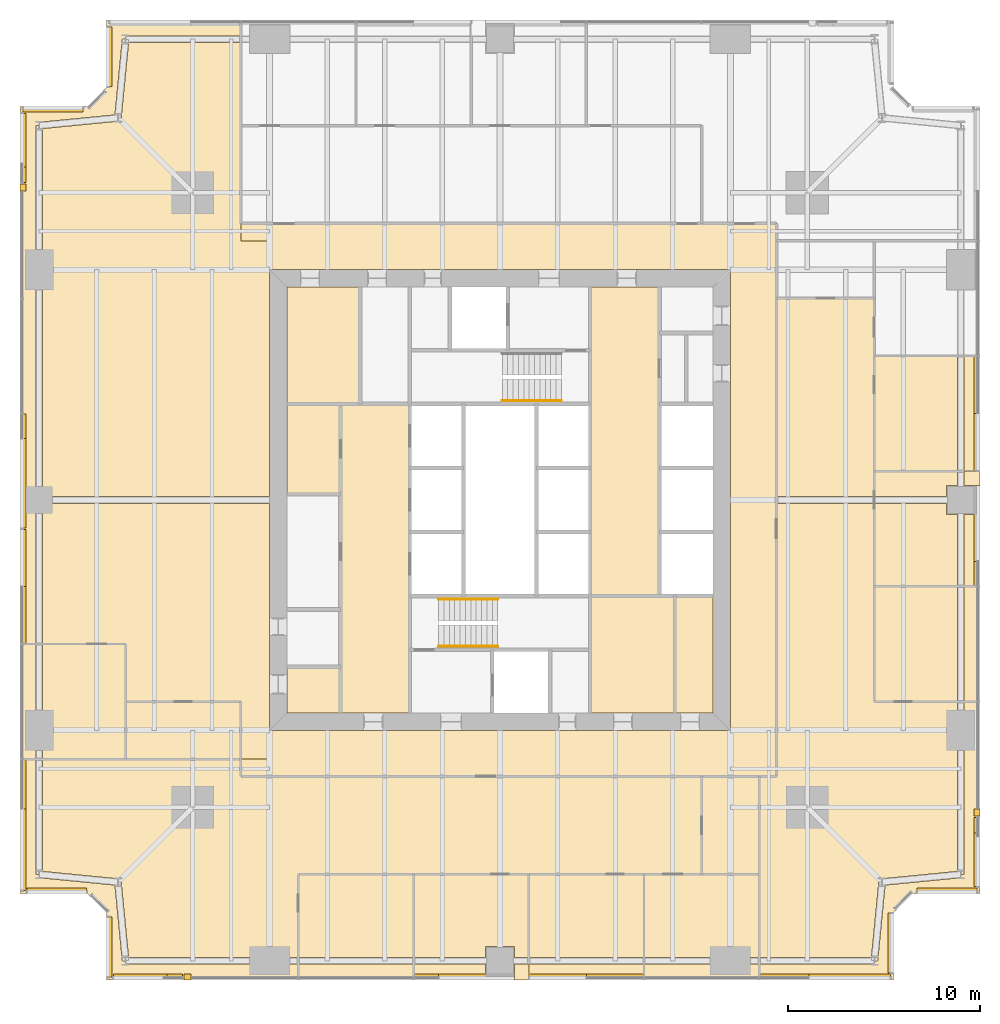
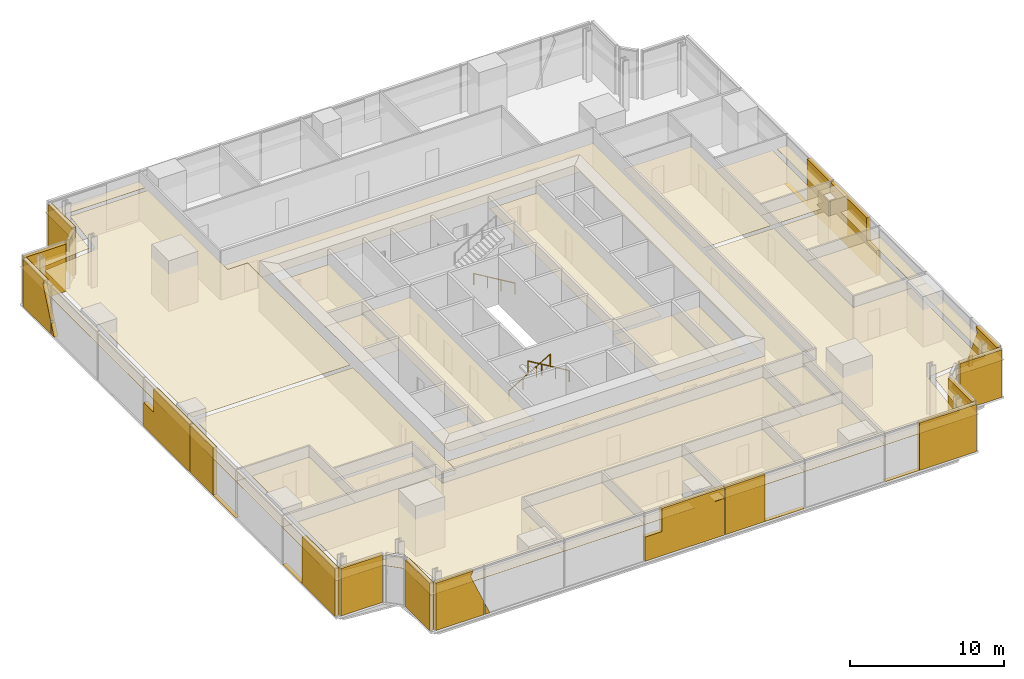
# One storey, part 12 of 13: 57 coverings, 3 railings.
"""IFC4 building model written with IfcOpenShell, lengths in metres."""

from ifc_helpers import new_model, si_unit, direction, frame, origin, origin_2d, place, context, subcontext, project, spatial, polyline, circle, outline, extrude, material, layer, layer_set, type_object, element, save


model = new_model("IFC4")

# Units and contexts
model_context = context("Model", 3, precision=1e-05, world=origin(), true_north=direction((0.0, 1.0)))
body_context = subcontext(model_context, "Body", "Model", "MODEL_VIEW")
ifc_project = project(units=[si_unit("LENGTHUNIT", "METRE"), si_unit("AREAUNIT", "SQUARE_METRE"), si_unit("VOLUMEUNIT", "CUBIC_METRE"), si_unit("PLANEANGLEUNIT", "RADIAN"), si_unit("MASSUNIT", "GRAM", prefix="KILO")], contexts=[model_context])

# Site, building, storey
site_placement = place(None, origin())
site = spatial("IfcSite", under=ifc_project, at=site_placement, CompositionType="ELEMENT")
building_placement = place(site_placement, origin())
building = spatial("IfcBuilding", under=site, at=building_placement, Name="Fenwick Lantern Interchange", CompositionType="ELEMENT")
storey_placement = place(building_placement, frame((0.0, 0.0, 110.39990234375)))
storey = spatial("IfcBuildingStorey", under=building, at=storey_placement, Name="L25", CompositionType="ELEMENT", Elevation=110.39990234375)

# Coverings
ifc_material_1 = material(Name="Mineral fibre acoustic tile on suspended grid")
ifc_layer_1 = layer(ifc_material_1, 0.02001953125)
ifc_layer_set_1 = layer_set([ifc_layer_1], Name="ACOUSTIC TILE CEILING 20")
covering_type_1 = type_object("IfcCoveringType", Name="ACOUSTIC TILE CEILING 20", PredefinedType="CEILING", material=ifc_layer_set_1)
covering_1_placement = place(storey_placement, frame((0.0, 0.0, 2.900146484375)))
element("IfcCovering", 1, at=covering_1_placement, inside=storey, type_object=covering_type_1, Name="Office suite ceiling", PredefinedType="CEILING", context=body_context, shape_type="SweptSolid", body=[
    extrude(outline(polyline([(11.5, 11.5), (1.17236328125, 11.5), (1.17236328125, 5.656494140625), (5.11669921875, 5.271484375), (5.10009765625, 5.10009765625), (5.271484375, 5.11669921875), (5.656494140625, 1.17236328125), (13.0, 1.17236328125), (14.5, 1.17236328125), (14.5, 5.5), (35.5, 5.5), (35.5, 10.60009765625), (11.5, 10.60009765625), (11.5, 11.5)])), origin(), (0.0, 0.0, 1.0), 0.02001953125),
])
covering_2_placement = place(storey_placement, frame((0.0, 0.0, 2.900146484375)))
element("IfcCovering", 2, at=covering_2_placement, inside=storey, type_object=covering_type_1, Name="Office suite ceiling", PredefinedType="CEILING", context=body_context, shape_type="SweptSolid", body=[
    extrude(outline(polyline([(0.82763671875, 11.5), (0.0, 11.5), (0.0, 4.5), (3.5, 4.5), (4.5, 3.5), (4.5, 0.0), (14.5, 0.0), (14.5, 0.82763671875), (13.0, 0.82763671875), (5.5, 0.82763671875), (5.5, 1.0), (5.328369140625, 0.983154296875), (4.942138671875, 4.942138671875), (0.983154296875, 5.328369140625), (1.0, 5.5), (0.82763671875, 5.5), (0.82763671875, 11.5)])), origin(), (0.0, 0.0, 1.0), 0.02001953125),
])
covering_3_placement = place(storey_placement, frame((0.0, 0.0, 2.900146484375)))
element("IfcCovering", 3, at=covering_3_placement, inside=storey, type_object=covering_type_1, Name="Office ceiling", PredefinedType="CEILING", context=body_context, shape_type="SweptSolid", body=[
    extrude(outline(polyline([(14.5, 5.5), (14.5, 1.17236328125), (20.5, 1.17236328125), (20.5, 5.5), (14.5, 5.5)])), origin(), (0.0, 0.0, 1.0), 0.02001953125),
])
covering_4_placement = place(storey_placement, frame((0.0, 0.0, 2.900146484375)))
element("IfcCovering", 4, at=covering_4_placement, inside=storey, type_object=covering_type_1, Name="Office ceiling", PredefinedType="CEILING", context=body_context, shape_type="SweptSolid", body=[
    extrude(outline(polyline([(20.5, 0.0), (20.5, 0.82763671875), (14.5, 0.82763671875), (14.5, 0.0), (20.5, 0.0)])), origin(), (0.0, 0.0, 1.0), 0.02001953125),
])
covering_5_placement = place(storey_placement, frame((0.0, 0.0, 2.900146484375)))
element("IfcCovering", 5, at=covering_5_placement, inside=storey, type_object=covering_type_1, Name="Office ceiling", PredefinedType="CEILING", context=body_context, shape_type="SweptSolid", body=[
    extrude(outline(polyline([(20.5, 5.5), (20.5, 1.17236328125), (24.25, 1.17236328125), (24.25, 1.75), (25.75, 1.75), (25.75, 1.17236328125), (26.5, 1.17236328125), (26.5, 5.5), (20.5, 5.5)])), origin(), (0.0, 0.0, 1.0), 0.02001953125),
])
covering_6_placement = place(storey_placement, frame((0.0, 0.0, 2.900146484375)))
element("IfcCovering", 6, at=covering_6_placement, inside=storey, type_object=covering_type_1, Name="Office ceiling", PredefinedType="CEILING", context=body_context, shape_type="SweptSolid", body=[
    extrude(outline(polyline([(20.5, 0.82763671875), (20.5, 0.0), (24.25, 0.0), (24.25, 0.82763671875), (20.5, 0.82763671875)])), origin(), (0.0, 0.0, 1.0), 0.02001953125),
])
covering_7_placement = place(storey_placement, frame((0.0, 0.0, 2.900146484375)))
element("IfcCovering", 7, at=covering_7_placement, inside=storey, type_object=covering_type_1, Name="Office ceiling", PredefinedType="CEILING", context=body_context, shape_type="SweptSolid", body=[
    extrude(outline(polyline([(26.5, 0.0), (26.5, 0.82763671875), (25.75, 0.82763671875), (25.75, 0.0), (26.5, 0.0)])), origin(), (0.0, 0.0, 1.0), 0.02001953125),
])
covering_8_placement = place(storey_placement, frame((0.0, 0.0, 2.900146484375)))
element("IfcCovering", 8, at=covering_8_placement, inside=storey, type_object=covering_type_1, Name="Office ceiling", PredefinedType="CEILING", context=body_context, shape_type="SweptSolid", body=[
    extrude(outline(polyline([(26.5, 5.5), (26.5, 1.17236328125), (32.5, 1.17236328125), (32.5, 5.5), (26.5, 5.5)])), origin(), (0.0, 0.0, 1.0), 0.02001953125),
])
covering_9_placement = place(storey_placement, frame((0.0, 0.0, 2.900146484375)))
element("IfcCovering", 9, at=covering_9_placement, inside=storey, type_object=covering_type_1, Name="Office ceiling", PredefinedType="CEILING", context=body_context, shape_type="SweptSolid", body=[
    extrude(outline(polyline([(32.5, 0.0), (32.5, 0.82763671875), (26.5, 0.82763671875), (26.5, 0.0), (32.5, 0.0)])), origin(), (0.0, 0.0, 1.0), 0.02001953125),
])
covering_10_placement = place(storey_placement, frame((0.0, 0.0, 2.900146484375)))
element("IfcCovering", 10, at=covering_10_placement, inside=storey, type_object=covering_type_1, Name="Meeting room ceiling", PredefinedType="CEILING", context=body_context, shape_type="SweptSolid", body=[
    extrude(outline(polyline([(32.5, 5.5), (32.5, 1.17236328125), (37.0, 1.17236328125), (38.5, 1.17236328125), (38.5, 5.5), (32.5, 5.5)])), origin(), (0.0, 0.0, 1.0), 0.02001953125),
])
covering_11_placement = place(storey_placement, frame((0.0, 0.0, 2.900146484375)))
element("IfcCovering", 11, at=covering_11_placement, inside=storey, type_object=covering_type_1, Name="Meeting room ceiling", PredefinedType="CEILING", context=body_context, shape_type="SweptSolid", body=[
    extrude(outline(polyline([(38.5, 0.0), (38.5, 0.82763671875), (37.0, 0.82763671875), (32.5, 0.82763671875), (32.5, 0.0), (38.5, 0.0)])), origin(), (0.0, 0.0, 1.0), 0.02001953125),
])
covering_12_placement = place(storey_placement, frame((0.0, 0.0, 2.900146484375)))
element("IfcCovering", 12, at=covering_12_placement, inside=storey, type_object=covering_type_1, Name="Office suite ceiling", PredefinedType="CEILING", context=body_context, shape_type="SweptSolid", body=[
    extrude(outline(polyline([(38.5, 10.60009765625), (38.5, 1.17236328125), (44.343505859375, 1.17236328125), (44.728515625, 5.11669921875), (44.89990234375, 5.10009765625), (44.88330078125, 5.271484375), (48.82763671875, 5.656494140625), (48.82763671875, 13.0), (48.82763671875, 14.5), (44.5, 14.5), (44.5, 24.824951171875), (39.39990234375, 24.824951171875), (39.39990234375, 10.60009765625), (38.5, 10.60009765625)])), origin(), (0.0, 0.0, 1.0), 0.02001953125),
])
covering_13_placement = place(storey_placement, frame((0.0, 0.0, 2.900146484375)))
element("IfcCovering", 13, at=covering_13_placement, inside=storey, type_object=covering_type_1, Name="Office suite ceiling", PredefinedType="CEILING", context=body_context, shape_type="SweptSolid", body=[
    extrude(outline(polyline([(39.39990234375, 35.5), (39.39990234375, 25.175048828125), (44.5, 25.175048828125), (44.5, 35.5), (39.39990234375, 35.5)])), origin(), (0.0, 0.0, 1.0), 0.02001953125),
])
covering_14_placement = place(storey_placement, frame((0.0, 0.0, 2.900146484375)))
element("IfcCovering", 14, at=covering_14_placement, inside=storey, type_object=covering_type_1, Name="Office suite ceiling", PredefinedType="CEILING", context=body_context, shape_type="SweptSolid", body=[
    extrude(outline(polyline([(38.5, 0.82763671875), (38.5, 0.0), (45.5, 0.0), (45.5, 3.5), (46.5, 4.5), (50.0, 4.5), (50.0, 14.5), (49.17236328125, 14.5), (49.17236328125, 13.0), (49.17236328125, 5.5), (49.0, 5.5), (49.016845703125, 5.328369140625), (45.057861328125, 4.942138671875), (44.671630859375, 0.983154296875), (44.5, 1.0), (44.5, 0.82763671875), (38.5, 0.82763671875)])), origin(), (0.0, 0.0, 1.0), 0.02001953125),
])
covering_15_placement = place(storey_placement, frame((0.0, 0.0, 2.900146484375)))
element("IfcCovering", 15, at=covering_15_placement, inside=storey, type_object=covering_type_1, Name="Office ceiling", PredefinedType="CEILING", context=body_context, shape_type="SweptSolid", body=[
    extrude(outline(polyline([(44.5, 14.5), (48.82763671875, 14.5), (48.82763671875, 20.5), (44.5, 20.5), (44.5, 14.5)])), origin(), (0.0, 0.0, 1.0), 0.02001953125),
])
covering_16_placement = place(storey_placement, frame((0.0, 0.0, 2.900146484375)))
element("IfcCovering", 16, at=covering_16_placement, inside=storey, type_object=covering_type_1, Name="Office ceiling", PredefinedType="CEILING", context=body_context, shape_type="SweptSolid", body=[
    extrude(outline(polyline([(50.0, 20.5), (49.17236328125, 20.5), (49.17236328125, 14.5), (50.0, 14.5), (50.0, 20.5)])), origin(), (0.0, 0.0, 1.0), 0.02001953125),
])
covering_17_placement = place(storey_placement, frame((0.0, 0.0, 2.900146484375)))
element("IfcCovering", 17, at=covering_17_placement, inside=storey, type_object=covering_type_1, Name="Office ceiling", PredefinedType="CEILING", context=body_context, shape_type="SweptSolid", body=[
    extrude(outline(polyline([(44.5, 20.5), (48.82763671875, 20.5), (48.82763671875, 24.25), (48.25, 24.25), (48.25, 24.824951171875), (44.5, 24.824951171875), (44.5, 20.5)])), origin(), (0.0, 0.0, 1.0), 0.02001953125),
])
covering_18_placement = place(storey_placement, frame((0.0, 0.0, 2.900146484375)))
element("IfcCovering", 18, at=covering_18_placement, inside=storey, type_object=covering_type_1, Name="Office ceiling", PredefinedType="CEILING", context=body_context, shape_type="SweptSolid", body=[
    extrude(outline(polyline([(44.5, 26.5), (44.5, 25.175048828125), (48.25, 25.175048828125), (48.25, 25.75), (48.82763671875, 25.75), (48.82763671875, 26.5), (44.5, 26.5)])), origin(), (0.0, 0.0, 1.0), 0.02001953125),
])
covering_19_placement = place(storey_placement, frame((0.0, 0.0, 2.900146484375)))
element("IfcCovering", 19, at=covering_19_placement, inside=storey, type_object=covering_type_1, Name="Office ceiling", PredefinedType="CEILING", context=body_context, shape_type="SweptSolid", body=[
    extrude(outline(polyline([(49.17236328125, 20.5), (50.0, 20.5), (50.0, 24.25), (49.17236328125, 24.25), (49.17236328125, 20.5)])), origin(), (0.0, 0.0, 1.0), 0.02001953125),
])
covering_20_placement = place(storey_placement, frame((0.0, 0.0, 2.900146484375)))
element("IfcCovering", 20, at=covering_20_placement, inside=storey, type_object=covering_type_1, Name="Office ceiling", PredefinedType="CEILING", context=body_context, shape_type="SweptSolid", body=[
    extrude(outline(polyline([(50.0, 26.5), (49.17236328125, 26.5), (49.17236328125, 25.75), (50.0, 25.75), (50.0, 26.5)])), origin(), (0.0, 0.0, 1.0), 0.02001953125),
])
covering_21_placement = place(storey_placement, frame((0.0, 0.0, 2.900146484375)))
element("IfcCovering", 21, at=covering_21_placement, inside=storey, type_object=covering_type_1, Name="Office ceiling", PredefinedType="CEILING", context=body_context, shape_type="SweptSolid", body=[
    extrude(outline(polyline([(44.5, 26.5), (48.82763671875, 26.5), (48.82763671875, 32.5), (44.5, 32.5), (44.5, 26.5)])), origin(), (0.0, 0.0, 1.0), 0.02001953125),
])
covering_22_placement = place(storey_placement, frame((0.0, 0.0, 2.900146484375)))
element("IfcCovering", 22, at=covering_22_placement, inside=storey, type_object=covering_type_1, Name="Office ceiling", PredefinedType="CEILING", context=body_context, shape_type="SweptSolid", body=[
    extrude(outline(polyline([(50.0, 32.5), (49.17236328125, 32.5), (49.17236328125, 26.5), (50.0, 26.5), (50.0, 32.5)])), origin(), (0.0, 0.0, 1.0), 0.02001953125),
])
covering_23_placement = place(storey_placement, frame((0.0, 0.0, 2.900146484375)))
element("IfcCovering", 23, at=covering_23_placement, inside=storey, type_object=covering_type_1, Name="Open office ceiling", PredefinedType="CEILING", context=body_context, shape_type="SweptSolid", body=[
    extrude(outline(polyline([(11.5, 38.5), (11.5, 48.82763671875), (5.656494140625, 48.82763671875), (5.271484375, 44.88330078125), (5.10009765625, 44.89990234375), (5.11669921875, 44.728515625), (1.17236328125, 44.343505859375), (1.17236328125, 37.0), (1.17236328125, 25.175048828125), (13.0, 25.175048828125), (13.0, 38.5), (11.5, 38.5)])), origin(), (0.0, 0.0, 1.0), 0.02001953125),
])
covering_24_placement = place(storey_placement, frame((0.0, 0.0, 2.900146484375)))
element("IfcCovering", 24, at=covering_24_placement, inside=storey, type_object=covering_type_1, Name="Open office ceiling", PredefinedType="CEILING", context=body_context, shape_type="SweptSolid", body=[
    extrude(outline(polyline([(13.0, 11.5), (13.0, 24.824951171875), (1.17236328125, 24.824951171875), (1.17236328125, 17.5), (5.5, 17.5), (5.5, 14.5), (11.5, 14.5), (11.5, 11.5), (13.0, 11.5)])), origin(), (0.0, 0.0, 1.0), 0.02001953125),
])
covering_25_placement = place(storey_placement, frame((0.0, 0.0, 2.900146484375)))
element("IfcCovering", 25, at=covering_25_placement, inside=storey, type_object=covering_type_1, Name="Open office ceiling", PredefinedType="CEILING", context=body_context, shape_type="SweptSolid", body=[
    extrude(outline(polyline([(3.5, 45.5), (0.0, 45.5), (0.0, 17.5), (0.82763671875, 17.5), (0.82763671875, 25.0), (0.82763671875, 37.0), (0.82763671875, 44.5), (1.0, 44.5), (0.983154296875, 44.671630859375), (4.942138671875, 45.057861328125), (5.328369140625, 49.016845703125), (5.5, 49.0), (5.5, 49.17236328125), (11.5, 49.17236328125), (11.5, 50.0), (4.5, 50.0), (4.5, 46.5), (3.5, 45.5)])), origin(), (0.0, 0.0, 1.0), 0.02001953125),
])
covering_26_placement = place(storey_placement, frame((0.0, 0.0, 2.900146484375)))
element("IfcCovering", 26, at=covering_26_placement, inside=storey, type_object=covering_type_1, Name="Meeting room ceiling", PredefinedType="CEILING", context=body_context, shape_type="SweptSolid", body=[
    extrude(outline(polyline([(5.5, 17.5), (1.17236328125, 17.5), (1.17236328125, 13.0), (1.17236328125, 11.5), (5.5, 11.5), (5.5, 17.5)])), origin(), (0.0, 0.0, 1.0), 0.02001953125),
])
covering_27_placement = place(storey_placement, frame((0.0, 0.0, 2.900146484375)))
element("IfcCovering", 27, at=covering_27_placement, inside=storey, type_object=covering_type_1, Name="Meeting room ceiling", PredefinedType="CEILING", context=body_context, shape_type="SweptSolid", body=[
    extrude(outline(polyline([(0.0, 11.5), (0.82763671875, 11.5), (0.82763671875, 13.0), (0.82763671875, 17.5), (0.0, 17.5), (0.0, 11.5)])), origin(), (0.0, 0.0, 1.0), 0.02001953125),
])
ifc_material_2 = material(Name="Granite cladding, warm grey flamed finish, on aluminium carrier frame", Category="masonry")
ifc_layer_2 = layer(ifc_material_2, 0.300048828125)
ifc_layer_set_2 = layer_set([ifc_layer_2], Name="BRACE CASING PANEL 300")
covering_type_2 = type_object("IfcCoveringType", Name="BRACE CASING PANEL 300", PredefinedType="CLADDING", material=ifc_layer_set_2)
covering_28_placement = place(storey_placement, frame((4.60009765625, 0.10009765625, 0.0), z_axis=(0.0, 0.0, 1.0), x_axis=(1.0, 0.0, 0.0)))
element("IfcCovering", 28, at=covering_28_placement, inside=storey, type_object=covering_type_2, Name="Brace casing 01 bay 00a", PredefinedType="CLADDING", context=body_context, shape_type="SweptSolid", body=[
    extrude(outline(polyline([(0.264892578125, 0.0), (3.867431640625, 0.0), (3.867431640625, 1.041015625), (2.87255859375, 3.361328125), (3.0546875, 3.75), (0.264892578125, 3.75), (0.264892578125, 0.0)])), frame((0.0, 0.2001953125, 0.0), z_axis=(0.0, -1.0, 0.0), x_axis=(1.0, 0.0, 0.0)), (0.0, 0.0, 1.0), 0.300048828125),
])
covering_29_placement = place(storey_placement, frame((4.60009765625, 0.10009765625, 0.0), z_axis=(0.0, 0.0, 1.0), x_axis=(1.0, 0.0, 0.0)))
element("IfcCovering", 29, at=covering_29_placement, inside=storey, type_object=covering_type_2, Name="Brace casing 01 bay 01a", PredefinedType="CLADDING", context=body_context, shape_type="SweptSolid", body=[
    extrude(outline(polyline([(3.9326171875, 0.0), (4.313720703125, 0.0), (3.9326171875, 0.889404296875), (3.9326171875, 0.0)])), frame((0.0, 0.2001953125, 0.0), z_axis=(0.0, -1.0, 0.0), x_axis=(1.0, 0.0, 0.0)), (0.0, 0.0, 1.0), 0.300048828125),
])
covering_30_placement = place(storey_placement, frame((4.60009765625, 0.10009765625, 0.0), z_axis=(0.0, 0.0, 1.0), x_axis=(1.0, 0.0, 0.0)))
element("IfcCovering", 30, at=covering_30_placement, inside=storey, type_object=covering_type_2, Name="Brace casing 01 bay 03a", PredefinedType="CLADDING", context=body_context, shape_type="SweptSolid", body=[
    extrude(outline(polyline([(15.9326171875, 0.0), (21.867431640625, 0.0), (21.867431640625, 3.75), (17.197509765625, 3.75), (17.197509765625, 1.907958984375), (15.9326171875, 1.907958984375), (15.9326171875, 0.0)])), frame((0.0, 0.2001953125, 0.0), z_axis=(0.0, -1.0, 0.0), x_axis=(1.0, 0.0, 0.0)), (0.0, 0.0, 1.0), 0.300048828125),
])
covering_31_placement = place(storey_placement, frame((4.60009765625, 0.10009765625, 0.0), z_axis=(0.0, 0.0, 1.0), x_axis=(1.0, 0.0, 0.0)))
element("IfcCovering", 31, at=covering_31_placement, inside=storey, type_object=covering_type_2, Name="Brace casing 01 bay 04a", PredefinedType="CLADDING", context=body_context, shape_type="SweptSolid", body=[
    extrude(outline(polyline([(21.9326171875, 0.0), (27.867431640625, 0.0), (27.867431640625, 0.002197265625), (24.909912109375, 0.002197265625), (24.909912109375, 3.75), (21.9326171875, 3.75), (21.9326171875, 0.0)])), frame((0.0, 0.2001953125, 0.0), z_axis=(0.0, -1.0, 0.0), x_axis=(1.0, 0.0, 0.0)), (0.0, 0.0, 1.0), 0.300048828125),
])
covering_32_placement = place(storey_placement, frame((4.60009765625, 0.10009765625, 0.0), z_axis=(0.0, 0.0, 1.0), x_axis=(1.0, 0.0, 0.0)))
element("IfcCovering", 32, at=covering_32_placement, inside=storey, type_object=covering_type_2, Name="Brace casing 01 bay 06a", PredefinedType="CLADDING", context=body_context, shape_type="SweptSolid", body=[
    extrude(outline(polyline([(33.9326171875, 0.0), (40.735107421875, 0.0), (40.735107421875, 3.75), (36.487548828125, 3.75), (36.487548828125, 0.003173828125), (33.9326171875, 0.003173828125), (33.9326171875, 0.0)])), frame((0.0, 0.2001953125, 0.0), z_axis=(0.0, -1.0, 0.0), x_axis=(1.0, 0.0, 0.0)), (0.0, 0.0, 1.0), 0.300048828125),
])
for number, where, z_axis, x_axis, name in (
    (33, (45.39990234375, 0.10009765625, 0.0), (0.0, 0.0, 1.0), (0.0, 1.0, 0.0), "Brace casing 02 bay 00a"),
    (34, (46.45849609375, 4.60009765625, 0.0), (0.0, 0.0, 1.0), (1.0, 0.0, 0.0), "Brace casing 04 bay 00a"),
):
    element("IfcCovering", number, at=place(storey_placement, frame(where, z_axis=z_axis, x_axis=x_axis)), inside=storey, type_object=covering_type_2, Name=name, PredefinedType="CLADDING", context=body_context, shape_type="SweptSolid", body=[
        extrude(outline(polyline([(0.264892578125, 0.0), (3.37646484375, 0.0), (3.37646484375, 3.75), (0.264892578125, 3.75), (0.264892578125, 0.0)])), frame((0.0, 0.2001953125, 0.0), z_axis=(0.0, -1.0, 0.0), x_axis=(1.0, 0.0, 0.0)), (0.0, 0.0, 1.0), 0.300048828125),
    ])
covering_33_placement = place(storey_placement, frame((49.89990234375, 4.60009765625, 0.0), z_axis=(0.0, 0.0, 1.0), x_axis=(0.0, 1.0, 0.0)))
element("IfcCovering", 35, at=covering_33_placement, inside=storey, type_object=covering_type_2, Name="Brace casing 05 bay 00a", PredefinedType="CLADDING", context=body_context, shape_type="SweptSolid", body=[
    extrude(outline(polyline([(0.264892578125, 0.0), (3.867431640625, 0.0), (3.867431640625, 1.041015625), (2.87255859375, 3.361328125), (3.0546875, 3.75), (0.264892578125, 3.75), (0.264892578125, 0.0)])), frame((0.0, 0.2001953125, 0.0), z_axis=(0.0, -1.0, 0.0), x_axis=(1.0, 0.0, 0.0)), (0.0, 0.0, 1.0), 0.300048828125),
])
covering_34_placement = place(storey_placement, frame((49.89990234375, 4.60009765625, 0.0), z_axis=(0.0, 0.0, 1.0), x_axis=(0.0, 1.0, 0.0)))
element("IfcCovering", 36, at=covering_34_placement, inside=storey, type_object=covering_type_2, Name="Brace casing 05 bay 01a", PredefinedType="CLADDING", context=body_context, shape_type="SweptSolid", body=[
    extrude(outline(polyline([(3.9326171875, 0.0), (4.313720703125, 0.0), (3.9326171875, 0.889404296875), (3.9326171875, 0.0)])), frame((0.0, 0.2001953125, 0.0), z_axis=(0.0, -1.0, 0.0), x_axis=(1.0, 0.0, 0.0)), (0.0, 0.0, 1.0), 0.300048828125),
])
covering_35_placement = place(storey_placement, frame((49.89990234375, 4.60009765625, 0.0), z_axis=(0.0, 0.0, 1.0), x_axis=(0.0, 1.0, 0.0)))
element("IfcCovering", 37, at=covering_35_placement, inside=storey, type_object=covering_type_2, Name="Brace casing 05 bay 03a", PredefinedType="CLADDING", context=body_context, shape_type="SweptSolid", body=[
    extrude(outline(polyline([(15.9326171875, 0.0), (21.867431640625, 0.0), (21.867431640625, 3.75), (17.197509765625, 3.75), (17.197509765625, 1.907958984375), (15.9326171875, 1.907958984375), (15.9326171875, 0.0)])), frame((0.0, 0.2001953125, 0.0), z_axis=(0.0, -1.0, 0.0), x_axis=(1.0, 0.0, 0.0)), (0.0, 0.0, 1.0), 0.300048828125),
])
covering_36_placement = place(storey_placement, frame((49.89990234375, 4.60009765625, 0.0), z_axis=(0.0, 0.0, 1.0), x_axis=(0.0, 1.0, 0.0)))
element("IfcCovering", 38, at=covering_36_placement, inside=storey, type_object=covering_type_2, Name="Brace casing 05 bay 04a", PredefinedType="CLADDING", context=body_context, shape_type="SweptSolid", body=[
    extrude(outline(polyline([(21.9326171875, 0.0), (27.867431640625, 0.0), (27.867431640625, 0.002197265625), (24.909912109375, 0.002197265625), (24.909912109375, 3.75), (21.9326171875, 3.75), (21.9326171875, 0.0)])), frame((0.0, 0.2001953125, 0.0), z_axis=(0.0, -1.0, 0.0), x_axis=(1.0, 0.0, 0.0)), (0.0, 0.0, 1.0), 0.300048828125),
])
for number, where, z_axis, x_axis, name in (
    (39, (4.60009765625, 49.89990234375, 0.0), (0.0, 0.0, 1.0), (0.0, -1.0, 0.0), "Brace casing 10 bay 00a"),
    (40, (3.54150390625, 45.39990234375, 0.0), (0.0, 0.0, 1.0), (-1.0, 0.0, 0.0), "Brace casing 12 bay 00a"),
):
    element("IfcCovering", number, at=place(storey_placement, frame(where, z_axis=z_axis, x_axis=x_axis)), inside=storey, type_object=covering_type_2, Name=name, PredefinedType="CLADDING", context=body_context, shape_type="SweptSolid", body=[
        extrude(outline(polyline([(0.264892578125, 0.0), (3.37646484375, 0.0), (3.37646484375, 3.75), (0.264892578125, 3.75), (0.264892578125, 0.0)])), frame((0.0, 0.2001953125, 0.0), z_axis=(0.0, -1.0, 0.0), x_axis=(1.0, 0.0, 0.0)), (0.0, 0.0, 1.0), 0.300048828125),
    ])
covering_37_placement = place(storey_placement, frame((0.10009765625, 45.39990234375, 0.0), z_axis=(0.0, 0.0, 1.0), x_axis=(0.0, -1.0, 0.0)))
element("IfcCovering", 41, at=covering_37_placement, inside=storey, type_object=covering_type_2, Name="Brace casing 13 bay 00a", PredefinedType="CLADDING", context=body_context, shape_type="SweptSolid", body=[
    extrude(outline(polyline([(0.264892578125, 0.0), (3.867431640625, 0.0), (3.867431640625, 1.041015625), (2.87255859375, 3.361328125), (3.0546875, 3.75), (0.264892578125, 3.75), (0.264892578125, 0.0)])), frame((0.0, 0.2001953125, 0.0), z_axis=(0.0, -1.0, 0.0), x_axis=(1.0, 0.0, 0.0)), (0.0, 0.0, 1.0), 0.300048828125),
])
covering_38_placement = place(storey_placement, frame((0.10009765625, 45.39990234375, 0.0), z_axis=(0.0, 0.0, 1.0), x_axis=(0.0, -1.0, 0.0)))
element("IfcCovering", 42, at=covering_38_placement, inside=storey, type_object=covering_type_2, Name="Brace casing 13 bay 01a", PredefinedType="CLADDING", context=body_context, shape_type="SweptSolid", body=[
    extrude(outline(polyline([(3.9326171875, 0.0), (4.313720703125, 0.0), (3.9326171875, 0.889404296875), (3.9326171875, 0.0)])), frame((0.0, 0.2001953125, 0.0), z_axis=(0.0, -1.0, 0.0), x_axis=(1.0, 0.0, 0.0)), (0.0, 0.0, 1.0), 0.300048828125),
])
covering_39_placement = place(storey_placement, frame((0.10009765625, 45.39990234375, 0.0), z_axis=(0.0, 0.0, 1.0), x_axis=(0.0, -1.0, 0.0)))
element("IfcCovering", 43, at=covering_39_placement, inside=storey, type_object=covering_type_2, Name="Brace casing 13 bay 03a", PredefinedType="CLADDING", context=body_context, shape_type="SweptSolid", body=[
    extrude(outline(polyline([(15.9326171875, 0.0), (21.867431640625, 0.0), (21.867431640625, 3.75), (17.197509765625, 3.75), (17.197509765625, 1.907958984375), (15.9326171875, 1.907958984375), (15.9326171875, 0.0)])), frame((0.0, 0.2001953125, 0.0), z_axis=(0.0, -1.0, 0.0), x_axis=(1.0, 0.0, 0.0)), (0.0, 0.0, 1.0), 0.300048828125),
])
covering_40_placement = place(storey_placement, frame((0.10009765625, 45.39990234375, 0.0), z_axis=(0.0, 0.0, 1.0), x_axis=(0.0, -1.0, 0.0)))
element("IfcCovering", 44, at=covering_40_placement, inside=storey, type_object=covering_type_2, Name="Brace casing 13 bay 04a", PredefinedType="CLADDING", context=body_context, shape_type="SweptSolid", body=[
    extrude(outline(polyline([(21.9326171875, 0.0), (27.867431640625, 0.0), (27.867431640625, 0.002197265625), (24.909912109375, 0.002197265625), (24.909912109375, 3.75), (21.9326171875, 3.75), (21.9326171875, 0.0)])), frame((0.0, 0.2001953125, 0.0), z_axis=(0.0, -1.0, 0.0), x_axis=(1.0, 0.0, 0.0)), (0.0, 0.0, 1.0), 0.300048828125),
])
covering_41_placement = place(storey_placement, frame((0.10009765625, 45.39990234375, 0.0), z_axis=(0.0, 0.0, 1.0), x_axis=(0.0, -1.0, 0.0)))
element("IfcCovering", 45, at=covering_41_placement, inside=storey, type_object=covering_type_2, Name="Brace casing 13 bay 06a", PredefinedType="CLADDING", context=body_context, shape_type="SweptSolid", body=[
    extrude(outline(polyline([(33.9326171875, 0.0), (40.735107421875, 0.0), (40.735107421875, 3.75), (36.487548828125, 3.75), (36.487548828125, 0.003173828125), (33.9326171875, 0.003173828125), (33.9326171875, 0.0)])), frame((0.0, 0.2001953125, 0.0), z_axis=(0.0, -1.0, 0.0), x_axis=(1.0, 0.0, 0.0)), (0.0, 0.0, 1.0), 0.300048828125),
])
for number, where, z_axis, x_axis, name in (
    (46, (0.10009765625, 4.60009765625, 0.0), (0.0, 0.0, 1.0), (1.0, 0.0, 0.0), "Brace casing 14 bay 00a"),
    (47, (4.60009765625, 3.54150390625, 0.0), (0.0, 0.0, 1.0), (0.0, -1.0, 0.0), "Brace casing 16 bay 00a"),
):
    element("IfcCovering", number, at=place(storey_placement, frame(where, z_axis=z_axis, x_axis=x_axis)), inside=storey, type_object=covering_type_2, Name=name, PredefinedType="CLADDING", context=body_context, shape_type="SweptSolid", body=[
        extrude(outline(polyline([(0.264892578125, 0.0), (3.37646484375, 0.0), (3.37646484375, 3.75), (0.264892578125, 3.75), (0.264892578125, 0.0)])), frame((0.0, 0.2001953125, 0.0), z_axis=(0.0, -1.0, 0.0), x_axis=(1.0, 0.0, 0.0)), (0.0, 0.0, 1.0), 0.300048828125),
    ])

# Railings
ifc_material_3 = material(Name="Stainless steel handrail", Category="steel")
railing_type = type_object("IfcRailingType", Name="HANDRAIL 900", PredefinedType="HANDRAIL", material=ifc_material_3)
railing_placement = place(storey_placement, frame((21.800048828125, 19.825927734375, 0.166748046875)))
element("IfcRailing", 48, at=railing_placement, inside=storey, type_object=railing_type, Name="L25/STAIR/ST1/HR1", PredefinedType="HANDRAIL", context=body_context, shape_type="SweptSolid", body=[
    extrude(circle(Radius=0.02392578125, at=origin_2d()), frame((0.0, 0.0, 0.8759765625), z_axis=(0.859290745958, 0.0, 0.51148745235), x_axis=(0.0, 1.0, 0.0)), (0.0, 0.0, 1.0), 3.584228515625),
    extrude(circle(Radius=0.02099609375, at=origin_2d()), origin(), (0.0, 0.0, 1.0), 0.851806640625),
    extrude(circle(Radius=0.02099609375, at=origin_2d()), frame((1.026611328125, 0.0, 0.611083984375)), (0.0, 0.0, 1.0), 0.851806640625),
    extrude(circle(Radius=0.02099609375, at=origin_2d()), frame((2.05322265625, 0.0, 1.22216796875)), (0.0, 0.0, 1.0), 0.851806640625),
    extrude(circle(Radius=0.02099609375, at=origin_2d()), frame((3.079833984375, 0.0, 1.833251953125)), (0.0, 0.0, 1.0), 0.851806640625),
])
for number, where, name in (
    (49, (24.8798828125, 17.3740234375, 2.166748046875), "L25/STAIR/ST1/HR2"),
    (50, (28.199951171875, 30.174072265625, 0.166748046875), "L25/STAIR/ST2/HR1"),
):
    element("IfcRailing", number, at=place(storey_placement, frame(where)), inside=storey, type_object=railing_type, Name=name, PredefinedType="HANDRAIL", context=body_context, shape_type="SweptSolid", body=[
        extrude(circle(Radius=0.02392578125, at=origin_2d()), frame((0.0, 0.0, 0.8759765625), z_axis=(-0.859290745958, 0.0, 0.51148745235), x_axis=(0.0, -1.0, 0.0)), (0.0, 0.0, 1.0), 3.584228515625),
        extrude(circle(Radius=0.02099609375, at=origin_2d()), origin(), (0.0, 0.0, 1.0), 0.851806640625),
        extrude(circle(Radius=0.02099609375, at=origin_2d()), frame((-1.026611328125, 0.0, 0.611083984375)), (0.0, 0.0, 1.0), 0.851806640625),
        extrude(circle(Radius=0.02099609375, at=origin_2d()), frame((-2.05322265625, 0.0, 1.22216796875)), (0.0, 0.0, 1.0), 0.851806640625),
        extrude(circle(Radius=0.02099609375, at=origin_2d()), frame((-3.079833984375, 0.0, 1.833251953125)), (0.0, 0.0, 1.0), 0.851806640625),
    ])

# Coverings
ifc_material_4 = material(Name="Moisture resistant gypsum board on suspended frame, painted")
ifc_layer_3 = layer(ifc_material_4, 0.014892578125)
ifc_layer_set_3 = layer_set([ifc_layer_3], Name="MOISTURE RESISTANT CEILING 15")
covering_type_3 = type_object("IfcCoveringType", Name="MOISTURE RESISTANT CEILING 15", PredefinedType="CEILING", material=ifc_layer_set_3)
covering_42_placement = place(storey_placement, frame((0.0, 0.0, 2.60009765625)))
element("IfcCovering", 51, at=covering_42_placement, inside=storey, type_object=covering_type_3, Name="Women's WC ceiling", PredefinedType="CEILING", context=body_context, shape_type="SweptSolid", body=[
    extrude(outline(polyline([(29.699951171875, 13.89990234375), (34.10009765625, 13.89990234375), (34.10009765625, 20.0), (29.699951171875, 20.0), (29.699951171875, 13.89990234375)])), origin(), (0.0, 0.0, 1.0), 0.014892578125),
])
covering_43_placement = place(storey_placement, frame((0.0, 0.0, 2.60009765625)))
element("IfcCovering", 52, at=covering_43_placement, inside=storey, type_object=covering_type_3, Name="Men's WC ceiling", PredefinedType="CEILING", context=body_context, shape_type="SweptSolid", body=[
    extrude(outline(polyline([(34.10009765625, 13.89990234375), (36.10009765625, 13.89990234375), (36.10009765625, 20.0), (34.10009765625, 20.0), (34.10009765625, 13.89990234375)])), origin(), (0.0, 0.0, 1.0), 0.014892578125),
])
covering_44_placement = place(storey_placement, frame((0.0, 0.0, 2.60009765625)))
element("IfcCovering", 53, at=covering_44_placement, inside=storey, type_object=covering_type_3, Name="Accessible WC ceiling", PredefinedType="CEILING", context=body_context, shape_type="SweptSolid", body=[
    extrude(outline(polyline([(13.89990234375, 13.89990234375), (16.699951171875, 13.89990234375), (16.699951171875, 16.300048828125), (13.89990234375, 16.300048828125), (13.89990234375, 13.89990234375)])), origin(), (0.0, 0.0, 1.0), 0.014892578125),
])
covering_45_placement = place(storey_placement, frame((0.0, 0.0, 2.7001953125)))
element("IfcCovering", 54, at=covering_45_placement, inside=storey, type_object=covering_type_3, Name="Pantry ceiling", PredefinedType="CEILING", context=body_context, shape_type="SweptSolid", body=[
    extrude(outline(polyline([(13.89990234375, 25.300048828125), (16.699951171875, 25.300048828125), (16.699951171875, 30.0), (13.89990234375, 30.0), (13.89990234375, 25.300048828125)])), origin(), (0.0, 0.0, 1.0), 0.014892578125),
])
covering_46_placement = place(storey_placement, frame((0.0, 0.0, 2.60009765625)))
element("IfcCovering", 55, at=covering_46_placement, inside=storey, type_object=covering_type_3, Name="Women's WC ceiling", PredefinedType="CEILING", context=body_context, shape_type="SweptSolid", body=[
    extrude(outline(polyline([(17.699951171875, 36.10009765625), (13.89990234375, 36.10009765625), (13.89990234375, 30.0), (17.699951171875, 30.0), (17.699951171875, 36.10009765625)])), origin(), (0.0, 0.0, 1.0), 0.014892578125),
])
covering_47_placement = place(storey_placement, frame((0.0, 0.0, 2.7001953125)))
element("IfcCovering", 56, at=covering_47_placement, inside=storey, type_object=covering_type_3, Name="Pantry ceiling", PredefinedType="CEILING", context=body_context, shape_type="SweptSolid", body=[
    extrude(outline(polyline([(35.5, 5.5), (38.5, 5.5), (38.5, 10.60009765625), (35.5, 10.60009765625), (35.5, 5.5)])), origin(), (0.0, 0.0, 1.0), 0.014892578125),
])
covering_48_placement = place(storey_placement, frame((0.0, 0.0, 2.7001953125)))
element("IfcCovering", 57, at=covering_48_placement, inside=storey, type_object=covering_type_3, Name="Pantry ceiling", PredefinedType="CEILING", context=body_context, shape_type="SweptSolid", body=[
    extrude(outline(polyline([(5.5, 14.5), (5.5, 11.5), (11.5, 11.5), (11.5, 14.5), (5.5, 14.5)])), origin(), (0.0, 0.0, 1.0), 0.014892578125),
])
ifc_material_5 = material(Name="Gypsum plasterboard on suspended frame, painted")
ifc_layer_4 = layer(ifc_material_5, 0.014892578125)
ifc_layer_set_4 = layer_set([ifc_layer_4], Name="PLASTERBOARD CEILING 15")
covering_type_4 = type_object("IfcCoveringType", Name="PLASTERBOARD CEILING 15", PredefinedType="CEILING", material=ifc_layer_set_4)
covering_49_placement = place(storey_placement, frame((0.0, 0.0, 2.800048828125)))
element("IfcCovering", 58, at=covering_49_placement, inside=storey, type_object=covering_type_4, Name="Lift lobby ceiling", PredefinedType="CEILING", context=body_context, shape_type="SweptSolid", body=[
    extrude(outline(polyline([(16.699951171875, 13.89990234375), (20.300048828125, 13.89990234375), (20.300048828125, 30.0), (16.699951171875, 30.0), (16.699951171875, 13.89990234375)])), origin(), (0.0, 0.0, 1.0), 0.01513671875),
])
covering_50_placement = place(storey_placement, frame((0.0, 0.0, 2.800048828125)))
element("IfcCovering", 59, at=covering_50_placement, inside=storey, type_object=covering_type_4, Name="Lift lobby ceiling", PredefinedType="CEILING", context=body_context, shape_type="SweptSolid", body=[
    extrude(outline(polyline([(33.300048828125, 36.10009765625), (29.699951171875, 36.10009765625), (29.699951171875, 20.0), (33.300048828125, 20.0), (33.300048828125, 36.10009765625)])), origin(), (0.0, 0.0, 1.0), 0.01513671875),
])
covering_51_placement = place(storey_placement, frame((0.0, 0.0, 2.60009765625)))
element("IfcCovering", 60, at=covering_51_placement, inside=storey, type_object=covering_type_4, Name="Corridor ceiling", PredefinedType="CEILING", context=body_context, shape_type="SweptSolid", body=[
    extrude(outline(polyline([(11.5, 11.5), (11.5, 10.60009765625), (39.39990234375, 10.60009765625), (39.39990234375, 39.39990234375), (11.5, 39.39990234375), (11.5, 38.5), (13.0, 38.5), (13.0, 37.0), (37.0, 37.0), (37.0, 13.0), (13.0, 13.0), (13.0, 11.5), (11.5, 11.5)])), origin(), (0.0, 0.0, 1.0), 0.014892578125),
])

save(model, "model.ifc")
